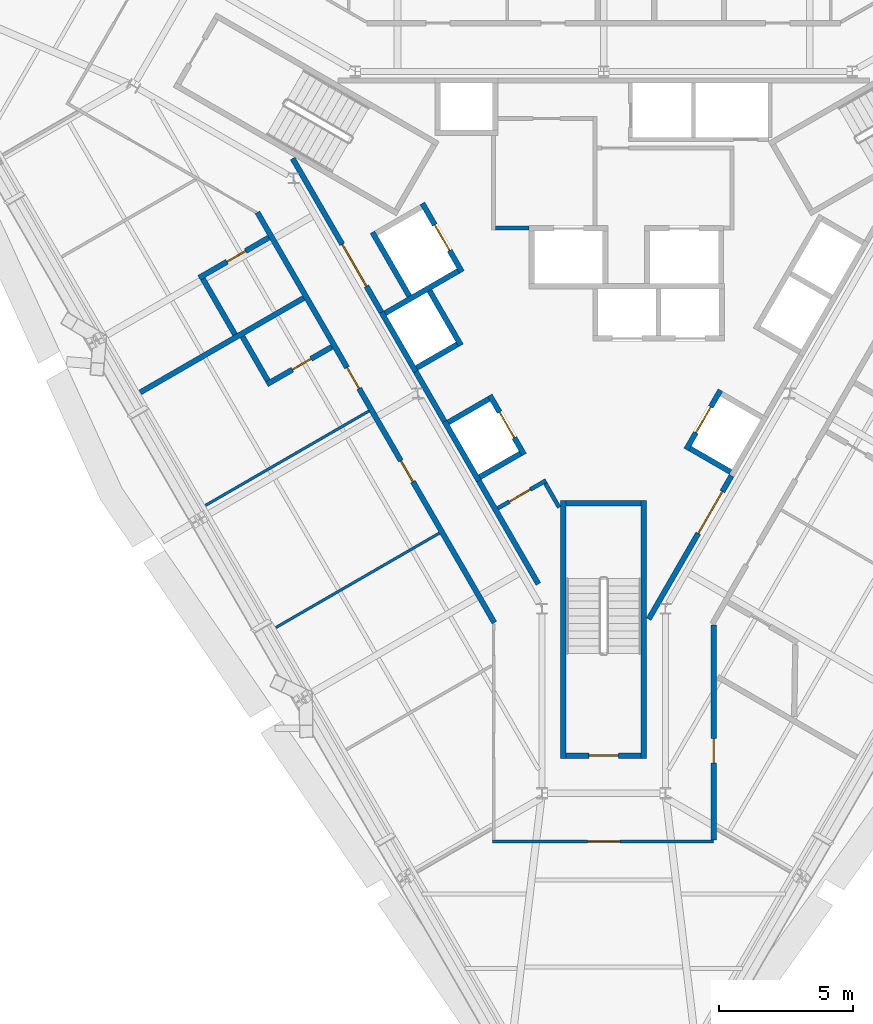
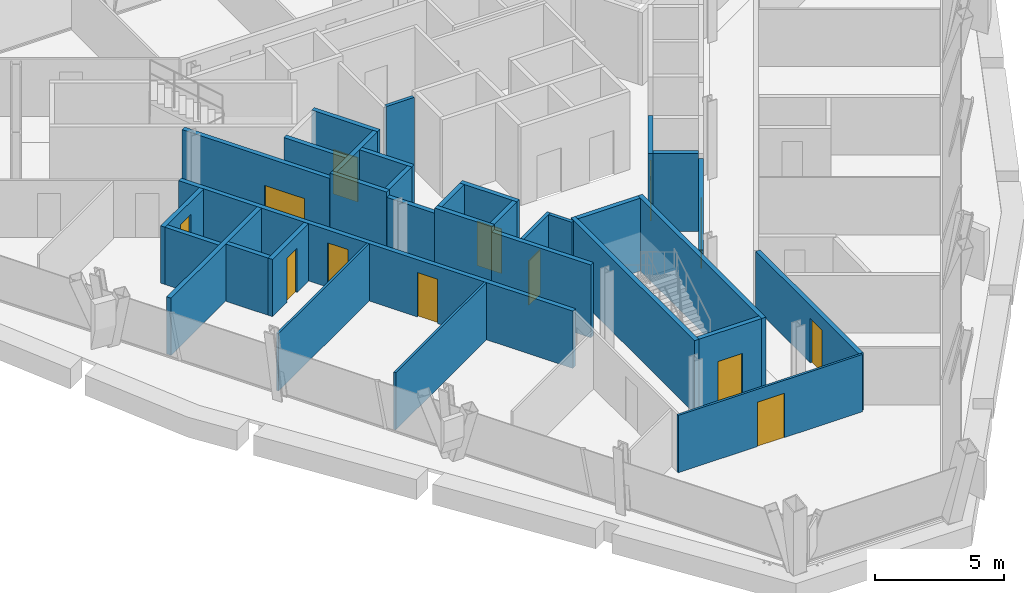
# One storey, part 7 of 12: 33 walls, 13 doors, 13 openings.
"""IFC4 building model written with IfcOpenShell, lengths in metres."""

from ifc_helpers import new_model, si_unit, direction, frame, frame_2d, origin, place, context, subcontext, project, spatial, rectangle, extrude, material, layer, layer_set, type_object, element, fill, save


model = new_model("IFC4")

# Units and contexts
model_context = context("Model", 3, precision=1e-05, world=origin(), true_north=direction((0.0, 1.0)))
body_context = subcontext(model_context, "Body", "Model", "MODEL_VIEW")
ifc_project = project(units=[si_unit("LENGTHUNIT", "METRE"), si_unit("AREAUNIT", "SQUARE_METRE"), si_unit("VOLUMEUNIT", "CUBIC_METRE"), si_unit("PLANEANGLEUNIT", "RADIAN"), si_unit("MASSUNIT", "GRAM", prefix="KILO")], contexts=[model_context])

# Site, building, storey
site_placement = place(None, origin())
site = spatial("IfcSite", under=ifc_project, at=site_placement, CompositionType="ELEMENT")
building_placement = place(site_placement, origin())
building = spatial("IfcBuilding", under=site, at=building_placement, Name="Verrane Prism Tower", CompositionType="ELEMENT")
storey_placement = place(building_placement, frame((0.0, 0.0, 174.699951171875)))
storey = spatial("IfcBuildingStorey", under=building, at=storey_placement, Name="L43", CompositionType="ELEMENT", Elevation=174.699951171875)

# Wall, opening, door
ifc_material_1 = material(Name="Gypsum board partition", Category="other")
ifc_layer_1 = layer(ifc_material_1, 0.199951171875)
ifc_layer_set_1 = layer_set([ifc_layer_1], Name="CW-200 core boundary wall 2 h")
wall_type_1 = type_object("IfcWallType", Name="CW-200 core boundary wall 2 h", PredefinedType="PARTITIONING", material=ifc_layer_set_1)
wall_1_placement = place(storey_placement, frame((-11.590576171875, 4.7548828125, 0.0), z_axis=(0.0, 0.0, 1.0), x_axis=(0.500043977787, -0.866000011708, 0.0)))
wall_1 = element("IfcWall", 1, at=wall_1_placement, inside=storey, type_object=wall_type_1, Name="Core boundary wall CW3-001", PredefinedType="PARTITIONING", context=body_context, shape_type="SweptSolid", body=[
    extrude(rectangle(XDim=6.61669921875, YDim=0.199951171875, at=frame_2d((3.308349609375, 0.0))), origin(), (0.0, 0.0, 1.0), 3.449951171875),
])
opening_1_placement = place(wall_1_placement, frame((3.695068359375, 0.0, 0.0)))
opening_1 = element("IfcOpeningElement", 2, at=opening_1_placement, cuts=wall_1, Name="Opening D42510", PredefinedType="OPENING", context=body_context, shape_type="SweptSolid", body=[
    extrude(rectangle(XDim=1.800048828125, YDim=2.10009765625, at=frame_2d((0.89990234375, 1.050048828125))), frame((0.0, 0.10986328125, 0.0), z_axis=(0.0, -1.0, 0.0), x_axis=(1.0, 0.0, 0.0)), (0.0, 0.0, 1.0), 0.219970703125),
])
ifc_material_2 = material(Name="Timber veneered door leaf", Category="wood")
door_type_1 = type_object("IfcDoorType", Name="DR-1800x2100 FD60 double leaf lift lobby", OperationType="NOTDEFINED", PredefinedType="DOOR", material=ifc_material_2)
door_1_placement = place(opening_1_placement, origin())
door_1 = element("IfcDoor", 3, at=door_1_placement, inside=storey, type_object=door_type_1, Name="Lift lobby door D42510", OperationType="DOUBLE_DOOR_SINGLE_SWING", OverallHeight=2.10009765625, OverallWidth=1.800048828125, PredefinedType="DOOR", context=body_context, shape_type="SweptSolid", body=[
    extrude(rectangle(XDim=1.800048828125, YDim=2.10009765625, at=frame_2d((0.89990234375, 1.050048828125))), frame((0.0, 0.02490234375, 0.0), z_axis=(0.0, -1.0, 0.0), x_axis=(1.0, 0.0, 0.0)), (0.0, 0.0, 1.0), 0.050048828125),
])
fill(opening_1, door_1)

# Walls
wall_2_placement = place(storey_placement, frame((-7.0048828125, -3.18701171875, 0.0), z_axis=(0.0, 0.0, 1.0), x_axis=(0.499689606989, -0.866204535123, 0.0)))
element("IfcWall", 4, at=wall_2_placement, inside=storey, type_object=wall_type_1, Name="Core boundary wall CW3-003", PredefinedType="PARTITIONING", context=body_context, shape_type="SweptSolid", body=[
    extrude(rectangle(XDim=2.144775390625, YDim=0.199951171875, at=frame_2d((1.072265625, 0.0))), origin(), (0.0, 0.0, 1.0), 3.449951171875),
])
wall_3_placement = place(storey_placement, frame((-4.655029296875, -7.257080078125, 0.0), z_axis=(0.0, 0.0, 1.0), x_axis=(0.499892115999, -0.866087681682, 0.0)))
element("IfcWall", 5, at=wall_3_placement, inside=storey, type_object=wall_type_1, Name="Core boundary wall CW3-004", PredefinedType="PARTITIONING", context=body_context, shape_type="SweptSolid", body=[
    extrude(rectangle(XDim=4.44287109375, YDim=0.199951171875, at=frame_2d((2.221435546875, 0.0))), origin(), (0.0, 0.0, 1.0), 3.449951171875),
])

# Wall, opening, door
wall_4_placement = place(storey_placement, frame((1.677490234375, -12.414794921875, 0.0), z_axis=(0.0, 0.0, 1.0), x_axis=(0.500054337157, 0.865994029939, 0.0)))
wall_4 = element("IfcWall", 6, at=wall_4_placement, inside=storey, type_object=wall_type_1, Name="Core boundary wall CW3-006", PredefinedType="PARTITIONING", context=body_context, shape_type="SweptSolid", body=[
    extrude(rectangle(XDim=6.176513671875, YDim=0.199951171875, at=frame_2d((3.08837890625, 0.0))), origin(), (0.0, 0.0, 1.0), 3.449951171875),
])
opening_2_placement = place(wall_4_placement, frame((3.695068359375, 0.0, 0.0)))
opening_2 = element("IfcOpeningElement", 7, at=opening_2_placement, cuts=wall_4, Name="Opening D42516", PredefinedType="OPENING", context=body_context, shape_type="SweptSolid", body=[
    extrude(rectangle(XDim=1.800048828125, YDim=2.10009765625, at=frame_2d((0.89990234375, 1.050048828125))), frame((0.0, 0.10986328125, 0.0), z_axis=(0.0, -1.0, 0.0), x_axis=(1.0, 0.0, 0.0)), (0.0, 0.0, 1.0), 0.219970703125),
])
door_2_placement = place(opening_2_placement, origin())
door_2 = element("IfcDoor", 8, at=door_2_placement, inside=storey, type_object=door_type_1, Name="Lift lobby door D42516", OperationType="DOUBLE_DOOR_SINGLE_SWING", OverallHeight=2.10009765625, OverallWidth=1.800048828125, PredefinedType="DOOR", context=body_context, shape_type="SweptSolid", body=[
    extrude(rectangle(XDim=1.800048828125, YDim=2.10009765625, at=frame_2d((0.89990234375, 1.050048828125))), frame((0.0, 0.02490234375, 0.0), z_axis=(0.0, -1.0, 0.0), x_axis=(1.0, 0.0, 0.0)), (0.0, 0.0, 1.0), 0.050048828125),
])
fill(opening_2, door_2)

ifc_material_3 = material(Name="Concrete C40/50", Category="concrete")
ifc_layer_2 = layer(ifc_material_3, 0.199951171875)
ifc_layer_set_2 = layer_set([ifc_layer_2], Name="CW-200 stair core wall concrete C40/50 3 h")
wall_type_2 = type_object("IfcWallType", Name="CW-200 stair core wall concrete C40/50 3 h", PredefinedType="PARTITIONING", material=ifc_layer_set_2)
wall_5_placement = place(storey_placement, frame((-1.39990234375, -17.5, 0.0), z_axis=(0.0, 0.0, 1.0), x_axis=(1.0, 0.0, 0.0)))
wall_5 = element("IfcWall", 9, at=wall_5_placement, inside=storey, type_object=wall_type_2, Name="Stair 3 enclosure wall", PredefinedType="PARTITIONING", context=body_context, shape_type="SweptSolid", body=[
    extrude(rectangle(XDim=2.7998046875, YDim=0.199951171875, at=frame_2d((1.39990234375, 0.0))), origin(), (0.0, 0.0, 1.0), 3.449951171875),
])
opening_3_placement = place(wall_5_placement, frame((0.85009765625, 0.0, 0.0)))
opening_3 = element("IfcOpeningElement", 10, at=opening_3_placement, cuts=wall_5, Name="Opening D42502", PredefinedType="OPENING", context=body_context, shape_type="SweptSolid", body=[
    extrude(rectangle(XDim=1.10009765625, YDim=2.10009765625, at=frame_2d((0.550048828125, 1.050048828125))), frame((0.0, 0.10986328125, 0.0), z_axis=(0.0, -1.0, 0.0), x_axis=(1.0, 0.0, 0.0)), (0.0, 0.0, 1.0), 0.219970703125),
])
ifc_material_4 = material(Name="Timber veneered door leaf", Category="wood")
door_type_2 = type_object("IfcDoorType", Name="DR-1100x2100 FD90 single leaf stair", OperationType="NOTDEFINED", PredefinedType="DOOR", material=ifc_material_4)
door_3_placement = place(opening_3_placement, origin())
door_3 = element("IfcDoor", 11, at=door_3_placement, inside=storey, type_object=door_type_2, Name="Stair 3 door", OperationType="SINGLE_SWING_LEFT", OverallHeight=2.10009765625, OverallWidth=1.10009765625, PredefinedType="DOOR", context=body_context, shape_type="SweptSolid", body=[
    extrude(rectangle(XDim=1.10009765625, YDim=2.10009765625, at=frame_2d((0.550048828125, 1.050048828125))), frame((0.0, 0.02490234375, 0.0), z_axis=(0.0, -1.0, 0.0), x_axis=(1.0, 0.0, 0.0)), (0.0, 0.0, 1.0), 0.050048828125),
])
fill(opening_3, door_3)

# Walls
for number, where, z_axis, x_axis, name in (
    (12, (1.5, -8.0, 0.0), (0.0, 0.0, 1.0), (0.0, -1.0, 0.0), "Stair 3 enclosure wall"),
    (13, (-1.5, -8.0, 0.0), (0.0, 0.0, 1.0), (0.0, -1.0, 0.0), "Stair 3 enclosure wall"),
):
    element("IfcWall", number, at=place(storey_placement, frame(where, z_axis=z_axis, x_axis=x_axis)), inside=storey, type_object=wall_type_2, Name=name, PredefinedType="PARTITIONING", context=body_context, shape_type="SweptSolid", body=[
        extrude(rectangle(XDim=9.60009765625, YDim=0.199951171875, at=frame_2d((4.800048828125, 0.0))), origin(), (0.0, 0.0, 1.0), 3.449951171875),
    ])
wall_6_placement = place(storey_placement, frame((-1.39990234375, -8.10009765625, 0.0), z_axis=(0.0, 0.0, 1.0), x_axis=(1.0, 0.0, 0.0)))
element("IfcWall", 14, at=wall_6_placement, inside=storey, type_object=wall_type_2, Name="Stair 3 enclosure wall", PredefinedType="PARTITIONING", context=body_context, shape_type="SweptSolid", body=[
    extrude(rectangle(XDim=2.7998046875, YDim=0.199951171875, at=frame_2d((1.39990234375, 0.0))), origin(), (0.0, 0.0, 1.0), 3.449951171875),
])
ifc_material_5 = material(Name="Gypsum board shaft wall assembly", Category="other")
ifc_layer_3 = layer(ifc_material_5, 0.199951171875)
ifc_layer_set_3 = layer_set([ifc_layer_3], Name="HW-200 lift shaft wall 2 h")
wall_type_3 = type_object("IfcWallType", Name="HW-200 lift shaft wall 2 h", PredefinedType="PARTITIONING", material=ifc_layer_set_3)
for number, where, z_axis, x_axis, name in (
    (15, (-4.61962890625, -7.118408203125, 0.0), (0.0, 0.0, 1.0), (0.866036909293, 0.499980071345, 0.0), "Lift shaft wall"),
    (16, (-5.794677734375, -5.083251953125, 0.0), (0.0, 0.0, 1.0), (0.866036909293, 0.499980071345, 0.0), "Lift shaft wall"),
    (17, (-6.9697265625, -3.048095703125, 0.0), (0.0, 0.0, 1.0), (0.866036909293, 0.499980071345, 0.0), "Lift shaft wall"),
):
    element("IfcWall", number, at=place(storey_placement, frame(where, z_axis=z_axis, x_axis=x_axis)), inside=storey, type_object=wall_type_3, Name=name, PredefinedType="PARTITIONING", context=body_context, shape_type="SweptSolid", body=[
        extrude(rectangle(XDim=1.75, YDim=0.199951171875, at=frame_2d((0.875, 0.0))), origin(), (0.0, 0.0, 1.0), 3.699951171875),
    ])
wall_7_placement = place(storey_placement, frame((-8.14453125, -1.012939453125, 0.0), z_axis=(0.0, 0.0, 1.0), x_axis=(0.866016494683, 0.500015430699, 0.0)))
element("IfcWall", 18, at=wall_7_placement, inside=storey, type_object=wall_type_3, Name="Lift shaft wall", PredefinedType="PARTITIONING", context=body_context, shape_type="SweptSolid", body=[
    extrude(rectangle(XDim=3.14990234375, YDim=0.199951171875, at=frame_2d((1.574951171875, 0.0))), origin(), (0.0, 0.0, 1.0), 3.699951171875),
])

# Wall, opening, door
wall_8_placement = place(storey_placement, frame((3.077392578125, -6.089599609375, 0.0), z_axis=(0.0, 0.0, 1.0), x_axis=(0.500062241894, 0.865989465428, 0.0)))
wall_8 = element("IfcWall", 19, at=wall_8_placement, inside=storey, type_object=wall_type_3, Name="Lift shaft wall", PredefinedType="PARTITIONING", context=body_context, shape_type="SweptSolid", body=[
    extrude(rectangle(XDim=2.550048828125, YDim=0.199951171875, at=frame_2d((1.27490234375, 0.0))), origin(), (0.0, 0.0, 1.0), 3.699951171875),
])
opening_4_placement = place(wall_8_placement, frame((0.72509765625, 0.0, 0.0)))
opening_4 = element("IfcOpeningElement", 20, at=opening_4_placement, cuts=wall_8, Name="Opening D42505", PredefinedType="OPENING", context=body_context, shape_type="SweptSolid", body=[
    extrude(rectangle(XDim=1.10009765625, YDim=2.10009765625, at=frame_2d((0.550048828125, 1.050048828125))), frame((0.0, 0.10986328125, 0.0), z_axis=(0.0, -1.0, 0.0), x_axis=(1.0, 0.0, 0.0)), (0.0, 0.0, 1.0), 0.219970703125),
])
ifc_material_6 = material(Name="Stainless steel sliding landing door", Category="steel")
door_type_3 = type_object("IfcDoorType", Name="LD-1100x2100 lift landing door FD90 sliding", OperationType="NOTDEFINED", PredefinedType="DOOR", material=ifc_material_6)
door_4_placement = place(opening_4_placement, origin())
door_4 = element("IfcDoor", 21, at=door_4_placement, inside=storey, type_object=door_type_3, Name="Bank B lift 3 landing door", OperationType="SLIDING_TO_LEFT", OverallHeight=2.10009765625, OverallWidth=1.10009765625, PredefinedType="DOOR", context=body_context, shape_type="SweptSolid", body=[
    extrude(rectangle(XDim=1.10009765625, YDim=2.10009765625, at=frame_2d((0.550048828125, 1.050048828125))), frame((0.0, 0.02490234375, 0.0), z_axis=(0.0, -1.0, 0.0), x_axis=(1.0, 0.0, 0.0)), (0.0, 0.0, 1.0), 0.050048828125),
])
fill(opening_4, door_4)

wall_9_placement = place(storey_placement, frame((-5.280029296875, 0.525390625, 0.0), z_axis=(0.0, 0.0, 1.0), x_axis=(-0.500037662692, 0.866003658127, 0.0)))
wall_9 = element("IfcWall", 22, at=wall_9_placement, inside=storey, type_object=wall_type_3, Name="Lift shaft wall", PredefinedType="PARTITIONING", context=body_context, shape_type="SweptSolid", body=[
    extrude(rectangle(XDim=2.949951171875, YDim=0.199951171875, at=frame_2d((1.47509765625, 0.0))), origin(), (0.0, 0.0, 1.0), 3.699951171875),
])
opening_5_placement = place(wall_9_placement, frame((0.925048828125, 0.0, 0.0)))
opening_5 = element("IfcOpeningElement", 23, at=opening_5_placement, cuts=wall_9, Name="Opening D42509", PredefinedType="OPENING", context=body_context, shape_type="SweptSolid", body=[
    extrude(rectangle(XDim=1.10009765625, YDim=2.10009765625, at=frame_2d((0.550048828125, 1.050048828125))), frame((0.0, 0.10986328125, 0.0), z_axis=(0.0, -1.0, 0.0), x_axis=(1.0, 0.0, 0.0)), (0.0, 0.0, 1.0), 0.219970703125),
])
door_5_placement = place(opening_5_placement, origin())
door_5 = element("IfcDoor", 24, at=door_5_placement, inside=storey, type_object=door_type_3, Name="Service lift 1 landing door", OperationType="SLIDING_TO_LEFT", OverallHeight=2.10009765625, OverallWidth=1.10009765625, PredefinedType="DOOR", context=body_context, shape_type="SweptSolid", body=[
    extrude(rectangle(XDim=1.10009765625, YDim=2.10009765625, at=frame_2d((0.550048828125, 1.050048828125))), frame((0.0, 0.02490234375, 0.0), z_axis=(0.0, -1.0, 0.0), x_axis=(1.0, 0.0, 0.0)), (0.0, 0.0, 1.0), 0.050048828125),
])
fill(opening_5, door_5)

wall_10_placement = place(storey_placement, frame((-2.967529296875, -6.280029296875, 0.0), z_axis=(0.0, 0.0, 1.0), x_axis=(-0.499990435942, 0.866030925526, 0.0)))
wall_10 = element("IfcWall", 25, at=wall_10_placement, inside=storey, type_object=wall_type_3, Name="Lift shaft wall", PredefinedType="PARTITIONING", context=body_context, shape_type="SweptSolid", body=[
    extrude(rectangle(XDim=2.5498046875, YDim=0.199951171875, at=frame_2d((1.27490234375, 0.0))), origin(), (0.0, 0.0, 1.0), 3.699951171875),
])
opening_6_placement = place(wall_10_placement, frame((0.72509765625, 0.0, 0.0)))
opening_6 = element("IfcOpeningElement", 26, at=opening_6_placement, cuts=wall_10, Name="Opening D42506", PredefinedType="OPENING", context=body_context, shape_type="SweptSolid", body=[
    extrude(rectangle(XDim=1.10009765625, YDim=2.10009765625, at=frame_2d((0.550048828125, 1.050048828125))), frame((0.0, 0.10986328125, 0.0), z_axis=(0.0, -1.0, 0.0), x_axis=(1.0, 0.0, 0.0)), (0.0, 0.0, 1.0), 0.219970703125),
])
door_6_placement = place(opening_6_placement, origin())
door_6 = element("IfcDoor", 27, at=door_6_placement, inside=storey, type_object=door_type_3, Name="Bank B lift 4 landing door", OperationType="SLIDING_TO_RIGHT", OverallHeight=2.10009765625, OverallWidth=1.10009765625, PredefinedType="DOOR", context=body_context, shape_type="SweptSolid", body=[
    extrude(rectangle(XDim=1.10009765625, YDim=2.10009765625, at=frame_2d((0.550048828125, 1.050048828125))), frame((0.0, 0.02490234375, 0.0), z_axis=(0.0, -1.0, 0.0), x_axis=(1.0, 0.0, 0.0)), (0.0, 0.0, 1.0), 0.050048828125),
])
fill(opening_6, door_6)

# Walls
wall_11_placement = place(storey_placement, frame((-5.317626953125, -2.209716796875, 0.0), z_axis=(0.0, 0.0, 1.0), x_axis=(-0.499938297808, 0.866061024631, 0.0)))
element("IfcWall", 28, at=wall_11_placement, inside=storey, type_object=wall_type_3, Name="Lift shaft wall", PredefinedType="PARTITIONING", context=body_context, shape_type="SweptSolid", body=[
    extrude(rectangle(XDim=2.349853515625, YDim=0.199951171875, at=frame_2d((1.1748046875, 0.0))), origin(), (0.0, 0.0, 1.0), 3.699951171875),
])
wall_12_placement = place(storey_placement, frame((-7.241943359375, -0.37646484375, 0.0), z_axis=(0.0, 0.0, 1.0), x_axis=(-0.499996545922, 0.866027397988, 0.0)))
element("IfcWall", 29, at=wall_12_placement, inside=storey, type_object=wall_type_3, Name="Lift shaft wall", PredefinedType="PARTITIONING", context=body_context, shape_type="SweptSolid", body=[
    extrude(rectangle(XDim=2.75, YDim=0.199951171875, at=frame_2d((1.375, 0.0))), origin(), (0.0, 0.0, 1.0), 3.699951171875),
])
for number, where, z_axis, x_axis, name in (
    (30, (-4.65625, -7.255126953125, 0.0), (0.0, 0.0, 1.0), (-0.499990435942, 0.866030925526, 0.0), "Lift shaft wall"),
    (31, (-7.00634765625, -3.184814453125, 0.0), (0.0, 0.0, 1.0), (-0.499990435942, 0.866030925526, 0.0), "Lift shaft wall"),
):
    element("IfcWall", number, at=place(storey_placement, frame(where, z_axis=z_axis, x_axis=x_axis)), inside=storey, type_object=wall_type_3, Name=name, PredefinedType="PARTITIONING", context=body_context, shape_type="SweptSolid", body=[
        extrude(rectangle(XDim=2.5498046875, YDim=0.199951171875, at=frame_2d((1.27490234375, 0.0))), origin(), (0.0, 0.0, 1.0), 3.699951171875),
    ])
wall_13_placement = place(storey_placement, frame((4.729736328125, -6.927978515625, 0.0), z_axis=(0.0, 0.0, 1.0), x_axis=(-0.866036909293, 0.499980071345, 0.0)))
element("IfcWall", 32, at=wall_13_placement, inside=storey, type_object=wall_type_3, Name="Lift shaft wall", PredefinedType="PARTITIONING", context=body_context, shape_type="SweptSolid", body=[
    extrude(rectangle(XDim=1.75, YDim=0.199951171875, at=frame_2d((0.875, 0.0))), origin(), (0.0, 0.0, 1.0), 3.699951171875),
])
ifc_material_7 = material(Name="Gypsum board partition", Category="other")
ifc_layer_4 = layer(ifc_material_7, 0.14990234375)
ifc_layer_set_4 = layer_set([ifc_layer_4], Name="LF-150 firefighting lobby wall 1 h")
wall_type_4 = type_object("IfcWallType", Name="LF-150 firefighting lobby wall 1 h", PredefinedType="PARTITIONING", material=ifc_layer_set_4)
wall_14_placement = place(storey_placement, frame((-4.02490234375, 2.159912109375, 0.0), z_axis=(0.0, 0.0, 1.0), x_axis=(1.0, 0.0, 0.0)))
element("IfcWall", 33, at=wall_14_placement, inside=storey, type_object=wall_type_4, Name="Firefighting lobby wall LF1-002", PredefinedType="PARTITIONING", context=body_context, shape_type="SweptSolid", body=[
    extrude(rectangle(XDim=1.23779296875, YDim=0.14990234375, at=frame_2d((0.618896484375, 0.0))), origin(), (0.0, 0.0, 1.0), 3.449951171875),
])
ifc_material_8 = material(Name="Gypsum board partition", Category="other")
ifc_layer_5 = layer(ifc_material_8, 0.10009765625)
ifc_layer_set_5 = layer_set([ifc_layer_5], Name="PW-100 room partition")
wall_type_5 = type_object("IfcWallType", Name="PW-100 room partition", PredefinedType="PARTITIONING", material=ifc_layer_set_5)
wall_15_placement = place(storey_placement, frame((-14.83642578125, -8.1728515625, 0.0), z_axis=(0.0, 0.0, 1.0), x_axis=(0.866006381746, 0.500032945689, 0.0)))
element("IfcWall", 34, at=wall_15_placement, inside=storey, type_object=wall_type_5, Name="Room partition 010", PredefinedType="PARTITIONING", context=body_context, shape_type="SweptSolid", body=[
    extrude(rectangle(XDim=7.033203125, YDim=0.10009765625, at=frame_2d((3.5166015625, 0.0))), origin(), (0.0, 0.0, 1.0), 2.713134765625),
])
wall_16_placement = place(storey_placement, frame((-12.2099609375, -12.72216796875, 0.0), z_axis=(0.0, 0.0, 1.0), x_axis=(0.866002795668, 0.500039156363, 0.0)))
element("IfcWall", 35, at=wall_16_placement, inside=storey, type_object=wall_type_5, Name="Room partition 014", PredefinedType="PARTITIONING", context=body_context, shape_type="SweptSolid", body=[
    extrude(rectangle(XDim=7.02880859375, YDim=0.10009765625, at=frame_2d((3.514404296875, 0.0))), origin(), (0.0, 0.0, 1.0), 2.713134765625),
])

# Wall, opening, door
wall_17_placement = place(storey_placement, frame((4.10009765625, -20.699951171875, 0.0), z_axis=(0.0, 0.0, 1.0), x_axis=(-1.0, 0.0, 0.0)))
wall_17 = element("IfcWall", 36, at=wall_17_placement, inside=storey, type_object=wall_type_5, Name="Room partition 020", PredefinedType="PARTITIONING", context=body_context, shape_type="SweptSolid", body=[
    extrude(rectangle(XDim=8.25, YDim=0.10009765625, at=frame_2d((4.125, 0.0))), origin(), (0.0, 0.0, 1.0), 2.713134765625),
])
opening_7_placement = place(wall_17_placement, frame((3.5, 0.0, 0.0)))
opening_7 = element("IfcOpeningElement", 37, at=opening_7_placement, cuts=wall_17, Name="Opening D42018", PredefinedType="OPENING", context=body_context, shape_type="SweptSolid", body=[
    extrude(rectangle(XDim=1.199951171875, YDim=2.10009765625, at=frame_2d((0.60009765625, 1.050048828125))), frame((0.0, 0.06005859375, 0.0), z_axis=(0.0, -1.0, 0.0), x_axis=(1.0, 0.0, 0.0)), (0.0, 0.0, 1.0), 0.1201171875),
])
ifc_material_9 = material(Name="Timber veneered door leaf", Category="wood")
door_type_4 = type_object("IfcDoorType", Name="DR-1200x2100 single leaf unit", OperationType="NOTDEFINED", PredefinedType="DOOR", material=ifc_material_9)
door_7_placement = place(opening_7_placement, origin())
door_7 = element("IfcDoor", 38, at=door_7_placement, inside=storey, type_object=door_type_4, Name="Living And Dining Room door", OperationType="SINGLE_SWING_LEFT", OverallHeight=2.10009765625, OverallWidth=1.199951171875, PredefinedType="DOOR", context=body_context, shape_type="SweptSolid", body=[
    extrude(rectangle(XDim=1.199951171875, YDim=2.10009765625, at=frame_2d((0.60009765625, 1.050048828125))), frame((0.0, 0.02490234375, 0.0), z_axis=(0.0, -1.0, 0.0), x_axis=(1.0, 0.0, 0.0)), (0.0, 0.0, 1.0), 0.050048828125),
])
fill(opening_7, door_7)

# Walls
ifc_material_10 = material(Name="Gypsum board partition", Category="other")
ifc_layer_6 = layer(ifc_material_10, 0.199951171875)
ifc_layer_set_6 = layer_set([ifc_layer_6], Name="PW-200 plumbing wall")
wall_type_6 = type_object("IfcWallType", Name="PW-200 plumbing wall", PredefinedType="PARTITIONING", material=ifc_layer_set_6)
wall_18_placement = place(storey_placement, frame((-17.267822265625, -3.961181640625, 0.0), z_axis=(0.0, 0.0, 1.0), x_axis=(0.866002795668, 0.500039156363, 0.0)))
element("IfcWall", 39, at=wall_18_placement, inside=storey, type_object=wall_type_6, Name="Plumbing wall 005", PredefinedType="PARTITIONING", context=body_context, shape_type="SweptSolid", body=[
    extrude(rectangle(XDim=7.02880859375, YDim=0.199951171875, at=frame_2d((3.514404296875, 0.0))), origin(), (0.0, 0.0, 1.0), 2.713134765625),
])
wall_19_placement = place(storey_placement, frame((-14.93798828125, 0.271484375, 0.0), z_axis=(0.0, 0.0, 1.0), x_axis=(0.499913221443, -0.866075499611, 0.0)))
element("IfcWall", 40, at=wall_19_placement, inside=storey, type_object=wall_type_6, Name="Plumbing wall 008", PredefinedType="PARTITIONING", context=body_context, shape_type="SweptSolid", body=[
    extrude(rectangle(XDim=2.400390625, YDim=0.199951171875, at=frame_2d((1.2001953125, 0.0))), origin(), (0.0, 0.0, 1.0), 2.713134765625),
])

# Wall, opening, door
wall_20_placement = place(storey_placement, frame((-12.48095703125, 1.805419921875, 0.0), z_axis=(0.0, 0.0, 1.0), x_axis=(-0.866052556263, -0.499952967579, 0.0)))
wall_20 = element("IfcWall", 41, at=wall_20_placement, inside=storey, type_object=wall_type_6, Name="Plumbing wall 009", PredefinedType="PARTITIONING", context=body_context, shape_type="SweptSolid", body=[
    extrude(rectangle(XDim=2.994873046875, YDim=0.199951171875, at=frame_2d((1.49755859375, 0.0))), origin(), (0.0, 0.0, 1.0), 2.713134765625),
])
opening_8_placement = place(wall_20_placement, frame((0.994873046875, 0.0, 0.0)))
opening_8 = element("IfcOpeningElement", 42, at=opening_8_placement, cuts=wall_20, Name="Opening D42012", PredefinedType="OPENING", context=body_context, shape_type="SweptSolid", body=[
    extrude(rectangle(XDim=0.800048828125, YDim=2.10009765625, at=frame_2d((0.39990234375, 1.050048828125))), frame((0.0, 0.10986328125, 0.0), z_axis=(0.0, -1.0, 0.0), x_axis=(1.0, 0.0, 0.0)), (0.0, 0.0, 1.0), 0.219970703125),
])
ifc_material_11 = material(Name="Timber veneered door leaf", Category="wood")
door_type_5 = type_object("IfcDoorType", Name="DR-800x2100 single leaf bath", OperationType="NOTDEFINED", PredefinedType="DOOR", material=ifc_material_11)
door_8_placement = place(opening_8_placement, origin())
door_8 = element("IfcDoor", 43, at=door_8_placement, inside=storey, type_object=door_type_5, Name="Master Bathroom door", OperationType="SINGLE_SWING_LEFT", OverallHeight=2.10009765625, OverallWidth=0.800048828125, PredefinedType="DOOR", context=body_context, shape_type="SweptSolid", body=[
    extrude(rectangle(XDim=0.800048828125, YDim=2.10009765625, at=frame_2d((0.39990234375, 1.050048828125))), frame((0.0, 0.02490234375, 0.0), z_axis=(0.0, -1.0, 0.0), x_axis=(1.0, 0.0, 0.0)), (0.0, 0.0, 1.0), 0.050048828125),
])
fill(opening_8, door_8)

# Wall
wall_21_placement = place(storey_placement, frame((-13.46240234375, -1.885009765625, 0.0), z_axis=(0.0, 0.0, 1.0), x_axis=(0.499949193323, -0.866054735046, 0.0)))
element("IfcWall", 44, at=wall_21_placement, inside=storey, type_object=wall_type_6, Name="Plumbing wall 011", PredefinedType="PARTITIONING", context=body_context, shape_type="SweptSolid", body=[
    extrude(rectangle(XDim=1.895263671875, YDim=0.199951171875, at=frame_2d((0.94775390625, 0.0))), origin(), (0.0, 0.0, 1.0), 2.713134765625),
])

# Wall, openings, doors
wall_22_placement = place(storey_placement, frame((-4.074951171875, -12.54541015625, 0.0), z_axis=(0.0, 0.0, 1.0), x_axis=(-0.499999743747, 0.866025551732, 0.0)))
wall_22 = element("IfcWall", 45, at=wall_22_placement, inside=storey, type_object=wall_type_6, Name="Plumbing wall 012", PredefinedType="PARTITIONING", context=body_context, shape_type="SweptSolid", body=[
    extrude(rectangle(XDim=17.65625, YDim=0.199951171875, at=frame_2d((8.828125, 0.0))), origin(), (0.0, 0.0, 1.0), 2.713134765625),
])
opening_9_placement = place(wall_22_placement, frame((10.080078125, 0.0, 0.0)))
opening_9 = element("IfcOpeningElement", 46, at=opening_9_placement, cuts=wall_22, Name="Opening D42013", PredefinedType="OPENING", context=body_context, shape_type="SweptSolid", body=[
    extrude(rectangle(XDim=0.89990234375, YDim=2.10009765625, at=frame_2d((0.449951171875, 1.050048828125))), frame((0.0, 0.10986328125, 0.0), z_axis=(0.0, -1.0, 0.0), x_axis=(1.0, 0.0, 0.0)), (0.0, 0.0, 1.0), 0.219970703125),
])
opening_10_placement = place(wall_22_placement, frame((6.068115234375, 0.0, 0.0)))
opening_10 = element("IfcOpeningElement", 47, at=opening_10_placement, cuts=wall_22, Name="Opening D42015", PredefinedType="OPENING", context=body_context, shape_type="SweptSolid", body=[
    extrude(rectangle(XDim=0.89990234375, YDim=2.10009765625, at=frame_2d((0.449951171875, 1.050048828125))), frame((0.0, 0.10986328125, 0.0), z_axis=(0.0, -1.0, 0.0), x_axis=(1.0, 0.0, 0.0)), (0.0, 0.0, 1.0), 0.219970703125),
])
ifc_material_12 = material(Name="Timber veneered door leaf", Category="wood")
door_type_6 = type_object("IfcDoorType", Name="DR-900x2100 single leaf inner", OperationType="NOTDEFINED", PredefinedType="DOOR", material=ifc_material_12)
door_9_placement = place(opening_9_placement, origin())
door_9 = element("IfcDoor", 48, at=door_9_placement, inside=storey, type_object=door_type_6, Name="Bedroom door", OperationType="SINGLE_SWING_RIGHT", OverallHeight=2.10009765625, OverallWidth=0.89990234375, PredefinedType="DOOR", context=body_context, shape_type="SweptSolid", body=[
    extrude(rectangle(XDim=0.89990234375, YDim=2.10009765625, at=frame_2d((0.449951171875, 1.050048828125))), frame((0.0, 0.02490234375, 0.0), z_axis=(0.0, -1.0, 0.0), x_axis=(1.0, 0.0, 0.0)), (0.0, 0.0, 1.0), 0.050048828125),
])
fill(opening_9, door_9)
ifc_material_13 = material(Name="Timber veneered door leaf", Category="wood")
door_type_7 = type_object("IfcDoorType", Name="DR-900x2100 single leaf unit", OperationType="NOTDEFINED", PredefinedType="DOOR", material=ifc_material_13)
door_10_placement = place(opening_10_placement, origin())
door_10 = element("IfcDoor", 49, at=door_10_placement, inside=storey, type_object=door_type_7, Name="Study door", OperationType="SINGLE_SWING_RIGHT", OverallHeight=2.10009765625, OverallWidth=0.89990234375, PredefinedType="DOOR", context=body_context, shape_type="SweptSolid", body=[
    extrude(rectangle(XDim=0.89990234375, YDim=2.10009765625, at=frame_2d((0.449951171875, 1.050048828125))), frame((0.0, 0.02490234375, 0.0), z_axis=(0.0, -1.0, 0.0), x_axis=(1.0, 0.0, 0.0)), (0.0, 0.0, 1.0), 0.050048828125),
])
fill(opening_10, door_10)

# Wall, opening, door
wall_23_placement = place(storey_placement, frame((-12.551513671875, -3.6630859375, 0.0), z_axis=(0.0, 0.0, 1.0), x_axis=(0.866003766563, 0.500037474894, 0.0)))
wall_23 = element("IfcWall", 50, at=wall_23_placement, inside=storey, type_object=wall_type_6, Name="Plumbing wall 013", PredefinedType="PARTITIONING", context=body_context, shape_type="SweptSolid", body=[
    extrude(rectangle(XDim=2.795166015625, YDim=0.199951171875, at=frame_2d((1.3974609375, 0.0))), origin(), (0.0, 0.0, 1.0), 2.713134765625),
])
opening_11_placement = place(wall_23_placement, frame((1.10009765625, 0.0, 0.0)))
opening_11 = element("IfcOpeningElement", 51, at=opening_11_placement, cuts=wall_23, Name="Opening D42014", PredefinedType="OPENING", context=body_context, shape_type="SweptSolid", body=[
    extrude(rectangle(XDim=0.800048828125, YDim=2.10009765625, at=frame_2d((0.39990234375, 1.050048828125))), frame((0.0, 0.10986328125, 0.0), z_axis=(0.0, -1.0, 0.0), x_axis=(1.0, 0.0, 0.0)), (0.0, 0.0, 1.0), 0.219970703125),
])
door_11_placement = place(opening_11_placement, origin())
door_11 = element("IfcDoor", 52, at=door_11_placement, inside=storey, type_object=door_type_5, Name="Bathroom door", OperationType="SINGLE_SWING_RIGHT", OverallHeight=2.10009765625, OverallWidth=0.800048828125, PredefinedType="DOOR", context=body_context, shape_type="SweptSolid", body=[
    extrude(rectangle(XDim=0.800048828125, YDim=2.10009765625, at=frame_2d((0.39990234375, 1.050048828125))), frame((0.0, 0.02490234375, 0.0), z_axis=(0.0, -1.0, 0.0), x_axis=(1.0, 0.0, 0.0)), (0.0, 0.0, 1.0), 0.050048828125),
])
fill(opening_11, door_11)

wall_24_placement = place(storey_placement, frame((4.10009765625, -12.636962890625, 0.0), z_axis=(0.0, 0.0, 1.0), x_axis=(0.0, -1.0, 0.0)))
wall_24 = element("IfcWall", 53, at=wall_24_placement, inside=storey, type_object=wall_type_6, Name="Plumbing wall 026", PredefinedType="PARTITIONING", context=body_context, shape_type="SweptSolid", body=[
    extrude(rectangle(XDim=8.012939453125, YDim=0.199951171875, at=frame_2d((4.00634765625, 0.0))), origin(), (0.0, 0.0, 1.0), 2.713134765625),
])
opening_12_placement = place(wall_24_placement, frame((4.23291015625, 0.0, 0.0)))
opening_12 = element("IfcOpeningElement", 54, at=opening_12_placement, cuts=wall_24, Name="Opening D42019", PredefinedType="OPENING", context=body_context, shape_type="SweptSolid", body=[
    extrude(rectangle(XDim=0.89990234375, YDim=2.10009765625, at=frame_2d((0.449951171875, 1.050048828125))), frame((0.0, 0.10986328125, 0.0), z_axis=(0.0, -1.0, 0.0), x_axis=(1.0, 0.0, 0.0)), (0.0, 0.0, 1.0), 0.219970703125),
])
door_12_placement = place(opening_12_placement, origin())
door_12 = element("IfcDoor", 55, at=door_12_placement, inside=storey, type_object=door_type_7, Name="Kitchen door", OperationType="SINGLE_SWING_RIGHT", OverallHeight=2.10009765625, OverallWidth=0.89990234375, PredefinedType="DOOR", context=body_context, shape_type="SweptSolid", body=[
    extrude(rectangle(XDim=0.89990234375, YDim=2.10009765625, at=frame_2d((0.449951171875, 1.050048828125))), frame((0.0, 0.02490234375, 0.0), z_axis=(0.0, -1.0, 0.0), x_axis=(1.0, 0.0, 0.0)), (0.0, 0.0, 1.0), 0.050048828125),
])
fill(opening_12, door_12)

ifc_material_14 = material(Name="Gypsum board partition", Category="other")
ifc_layer_7 = layer(ifc_material_14, 0.14990234375)
ifc_layer_set_7 = layer_set([ifc_layer_7], Name="RS-150 riser enclosure wall 1 h")
wall_type_7 = type_object("IfcWallType", Name="RS-150 riser enclosure wall 1 h", PredefinedType="PARTITIONING", material=ifc_layer_set_7)
wall_25_placement = place(storey_placement, frame((-2.150146484375, -7.24560546875, 0.0), z_axis=(0.0, 0.0, 1.0), x_axis=(-0.866099396229, -0.499871819421, 0.0)))
wall_25 = element("IfcWall", 56, at=wall_25_placement, inside=storey, type_object=wall_type_7, Name="Riser wall RS3-001", PredefinedType="PARTITIONING", context=body_context, shape_type="SweptSolid", body=[
    extrude(rectangle(XDim=2.0751953125, YDim=0.14990234375, at=frame_2d((1.03759765625, 0.0))), origin(), (0.0, 0.0, 1.0), 3.449951171875),
])
opening_13_placement = place(wall_25_placement, frame((0.67529296875, 0.0, 0.0)))
opening_13 = element("IfcOpeningElement", 57, at=opening_13_placement, cuts=wall_25, Name="Opening D42511", PredefinedType="OPENING", context=body_context, shape_type="SweptSolid", body=[
    extrude(rectangle(XDim=0.89990234375, YDim=2.10009765625, at=frame_2d((0.449951171875, 1.050048828125))), frame((0.0, 0.0849609375, 0.0), z_axis=(0.0, -1.0, 0.0), x_axis=(1.0, 0.0, 0.0)), (0.0, 0.0, 1.0), 0.169921875),
])
ifc_material_15 = material(Name="Timber veneered door leaf", Category="wood")
door_type_8 = type_object("IfcDoorType", Name="DR-900x2100 FD20 single leaf store", OperationType="NOTDEFINED", PredefinedType="DOOR", material=ifc_material_15)
door_13_placement = place(opening_13_placement, origin())
door_13 = element("IfcDoor", 58, at=door_13_placement, inside=storey, type_object=door_type_8, Name="Room door D42511", OperationType="SINGLE_SWING_RIGHT", OverallHeight=2.10009765625, OverallWidth=0.89990234375, PredefinedType="DOOR", context=body_context, shape_type="SweptSolid", body=[
    extrude(rectangle(XDim=0.89990234375, YDim=2.10009765625, at=frame_2d((0.449951171875, 1.050048828125))), frame((0.0, 0.02490234375, 0.0), z_axis=(0.0, -1.0, 0.0), x_axis=(1.0, 0.0, 0.0)), (0.0, 0.0, 1.0), 0.050048828125),
])
fill(opening_13, door_13)

# Wall
wall_26_placement = place(storey_placement, frame((-2.177490234375, -7.347900390625, 0.0), z_axis=(0.0, 0.0, 1.0), x_axis=(0.49972245349, -0.866185586049, 0.0)))
element("IfcWall", 59, at=wall_26_placement, inside=storey, type_object=wall_type_7, Name="Riser wall RS3-002", PredefinedType="PARTITIONING", context=body_context, shape_type="SweptSolid", body=[
    extrude(rectangle(XDim=1.04052734375, YDim=0.14990234375, at=frame_2d((0.520263671875, 0.0))), origin(), (0.0, 0.0, 1.0), 3.449951171875),
])

save(model, "model.ifc")
